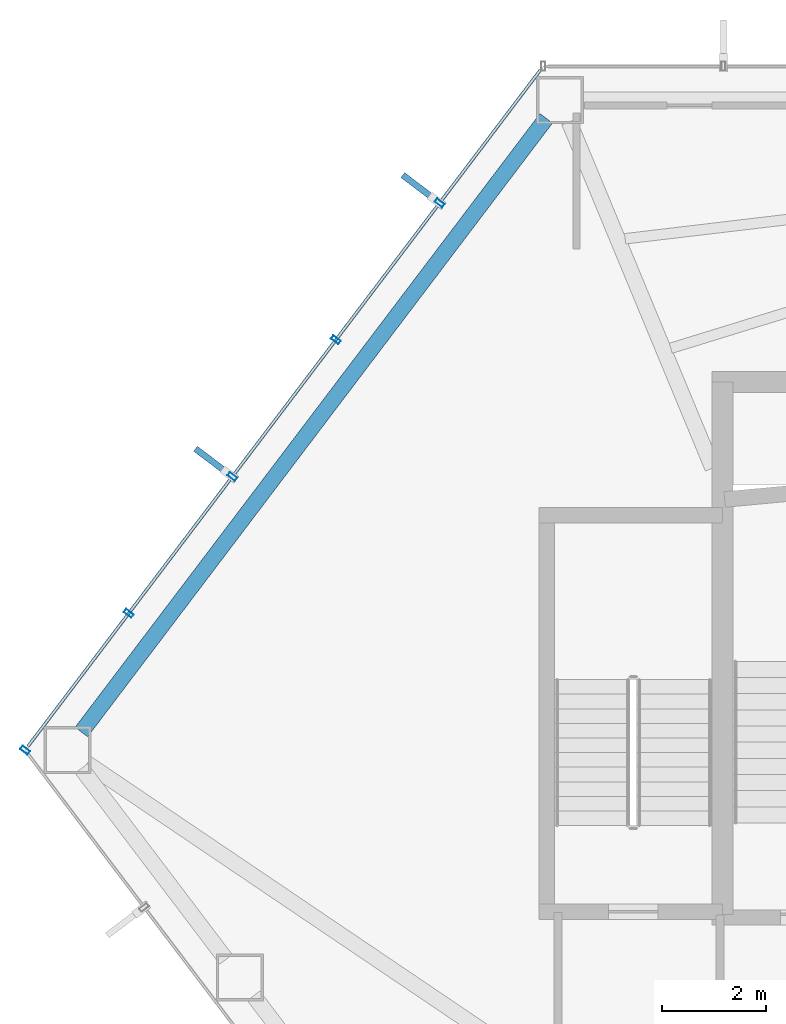
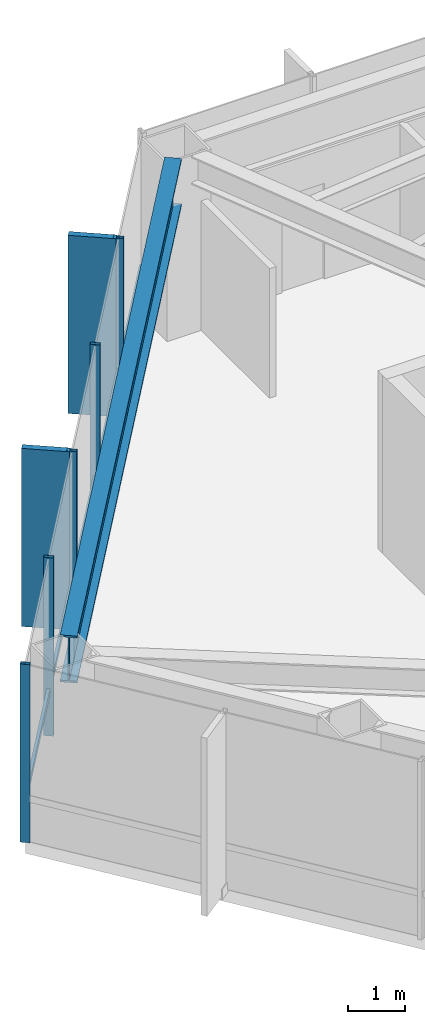
# One storey, part 10 of 24: 8 members, 1 beam, 1 element without a shape of its own.
"""IFC4 building model written with IfcOpenShell, lengths in metres."""

from ifc_helpers import new_model, si_unit, direction, frame, origin, origin_2d, place, context, subcontext, project, spatial, rectangle, hollow_rectangle, i_section, extrude, material, layer, layer_set, material_profile, profile_set, type_object, element, aggregate, save


model = new_model("IFC4")

# Units and contexts
model_context = context("Model", 3, precision=1e-05, world=origin(), true_north=direction((0.0, 1.0)))
body_context = subcontext(model_context, "Body", "Model", "MODEL_VIEW")
ifc_project = project(units=[si_unit("LENGTHUNIT", "METRE"), si_unit("AREAUNIT", "SQUARE_METRE"), si_unit("VOLUMEUNIT", "CUBIC_METRE"), si_unit("PLANEANGLEUNIT", "RADIAN"), si_unit("MASSUNIT", "GRAM", prefix="KILO")], contexts=[model_context])

# Site, building, storey
site_placement = place(None, origin())
site = spatial("IfcSite", under=ifc_project, at=site_placement, CompositionType="ELEMENT")
building_placement = place(site_placement, origin())
building = spatial("IfcBuilding", under=site, at=building_placement, Name="Zarrinselat Tower", CompositionType="ELEMENT")
storey_placement = place(building_placement, frame((0.0, 0.0, 100.97998046875)))
storey = spatial("IfcBuildingStorey", under=building, at=storey_placement, Name="L24", CompositionType="ELEMENT", Elevation=100.97998046875)

# Beam
ifc_material_1 = material(Name="Steel S460M", Category="steel")
ifc_material_profile_1 = material_profile(ifc_material_1, i_section(OverallWidth=0.302001953125, OverallDepth=1.008056640625, WebThickness=0.02099609375, FlangeThickness=0.0400390625, at=origin_2d()), Name="HEM 1000")
ifc_profile_set_1 = profile_set([ifc_material_profile_1], Name="Steel S460M")
beam_type = type_object("IfcBeamType", Name="BM-HEM1000", PredefinedType="BEAM", material=ifc_profile_set_1)
beam_placement = place(storey_placement, frame((16.31640625, 36.7451171875, 3.31591796875), z_axis=(0.603849401406, 0.797098425805, 0.0), x_axis=(-0.797098425805, 0.603849401406, 0.0)))
element("IfcBeam", 1, at=beam_placement, inside=storey, type_object=beam_type, Name="L24 Perimeter Spandrel Girder SP05", PredefinedType="BEAM", context=body_context, shape_type="SweptSolid", body=[
    extrude(i_section(OverallWidth=0.302001953125, OverallDepth=1.008056640625, WebThickness=0.02099609375, FlangeThickness=0.0400390625, at=origin_2d()), origin(), (0.0, 0.0, 1.0), 14.748291015625),
])

# Curtain wall, members
ifc_material_2 = material(Name="Extruded Aluminium Alloy EN AW-6063 T6", Category="aluminium")
ifc_layer = layer(ifc_material_2, 0.18505859375)
ifc_layer_set = layer_set([ifc_layer], Name="Extruded Aluminium Alloy EN AW-6063 T6")
curtain_wall_type = type_object("IfcCurtainWallType", Name="CWS-OFF", PredefinedType="NOTDEFINED", material=ifc_layer_set)
curtain_wall_placement = place(storey_placement, origin())
curtain_wall = element("IfcCurtainWall", 2, at=curtain_wall_placement, inside=storey, type_object=curtain_wall_type, Name="L24 Unitised Curtain Wall CW-L24-E02", PredefinedType="NOTDEFINED")
ifc_material_3 = material(Name="Extruded Aluminium Alloy EN AW-6063 T6", Category="aluminium")
ifc_material_profile_2 = material_profile(ifc_material_3, hollow_rectangle(XDim=0.080078125, YDim=0.179931640625, WallThickness=0.0048828125, at=origin_2d()), Name="RHS 180x80x5")
ifc_profile_set_2 = profile_set([ifc_material_profile_2], Name="Extruded Aluminium Alloy EN AW-6063 T6")
member_type_1 = type_object("IfcMemberType", Name="MEM-CW-MUL", PredefinedType="MULLION", material=ifc_profile_set_2)
member_1_placement = place(storey_placement, frame((23.17822265625, 46.879150390625, 0.0), z_axis=(0.0, 0.0, 1.0), x_axis=(-0.603854877249, -0.7970942775, 0.0)))
member_1 = element("IfcMember", 3, at=member_1_placement, type_object=member_type_1, Name="CW-L24-E02 Mullion 1", PredefinedType="MULLION", context=body_context, shape_type="SweptSolid", body=[
    extrude(hollow_rectangle(XDim=0.080078125, YDim=0.179931640625, WallThickness=0.0048828125, at=origin_2d()), origin(), (0.0, 0.0, 1.0), 3.820068359375),
])
member_2_placement = place(storey_placement, frame((21.192626953125, 44.25830078125, 0.0), z_axis=(0.0, 0.0, 1.0), x_axis=(-0.603854877249, -0.7970942775, 0.0)))
member_2 = element("IfcMember", 4, at=member_2_placement, type_object=member_type_1, Name="CW-L24-E02 Mullion 2", PredefinedType="MULLION", context=body_context, shape_type="SweptSolid", body=[
    extrude(hollow_rectangle(XDim=0.080078125, YDim=0.179931640625, WallThickness=0.0048828125, at=origin_2d()), origin(), (0.0, 0.0, 1.0), 3.820068359375),
])
member_3_placement = place(storey_placement, frame((19.207275390625, 41.6376953125, 0.0), z_axis=(0.0, 0.0, 1.0), x_axis=(-0.603854877249, -0.7970942775, 0.0)))
member_3 = element("IfcMember", 5, at=member_3_placement, type_object=member_type_1, Name="CW-L24-E02 Mullion 3", PredefinedType="MULLION", context=body_context, shape_type="SweptSolid", body=[
    extrude(hollow_rectangle(XDim=0.080078125, YDim=0.179931640625, WallThickness=0.0048828125, at=origin_2d()), origin(), (0.0, 0.0, 1.0), 3.820068359375),
])
member_4_placement = place(storey_placement, frame((17.2216796875, 39.016845703125, 0.0), z_axis=(0.0, 0.0, 1.0), x_axis=(-0.603854877249, -0.7970942775, 0.0)))
member_4 = element("IfcMember", 6, at=member_4_placement, type_object=member_type_1, Name="CW-L24-E02 Mullion 4", PredefinedType="MULLION", context=body_context, shape_type="SweptSolid", body=[
    extrude(hollow_rectangle(XDim=0.080078125, YDim=0.179931640625, WallThickness=0.0048828125, at=origin_2d()), origin(), (0.0, 0.0, 1.0), 3.820068359375),
])
member_5_placement = place(storey_placement, frame((15.236328125, 36.39599609375, 0.0), z_axis=(0.0, 0.0, 1.0), x_axis=(-0.603854877249, -0.7970942775, 0.0)))
member_5 = element("IfcMember", 7, at=member_5_placement, type_object=member_type_1, Name="CW-L24-E02 Mullion 5", PredefinedType="MULLION", context=body_context, shape_type="SweptSolid", body=[
    extrude(hollow_rectangle(XDim=0.080078125, YDim=0.179931640625, WallThickness=0.0048828125, at=origin_2d()), origin(), (0.0, 0.0, 1.0), 3.820068359375),
])
ifc_material_4 = material(Name="Extruded Aluminium Alloy EN AW-6063 T6", Category="aluminium")
ifc_material_profile_3 = material_profile(ifc_material_4, hollow_rectangle(XDim=0.06005859375, YDim=0.139892578125, WallThickness=0.00390625, at=origin_2d()), Name="RHS 140x60x4")
ifc_profile_set_3 = profile_set([ifc_material_profile_3], Name="Extruded Aluminium Alloy EN AW-6063 T6")
member_type_2 = type_object("IfcMemberType", Name="MEM-CW-TRN", PredefinedType="USERDEFINED", material=ifc_profile_set_3)
member_6_placement = place(storey_placement, frame((25.109375, 49.42822265625, 0.949951171875), z_axis=(-0.603860867961, -0.797089739079, 0.0), x_axis=(0.797089739079, -0.603860867961, 0.0)))
member_6 = element("IfcMember", 8, at=member_6_placement, type_object=member_type_2, Name="CW-L24-E02 Transom 1", ObjectType="TRANSOM", PredefinedType="USERDEFINED", context=body_context, shape_type="SweptSolid", body=[
    extrude(hollow_rectangle(XDim=0.06005859375, YDim=0.139892578125, WallThickness=0.00390625, at=origin_2d()), origin(), (0.0, 0.0, 1.0), 16.259765625),
])
ifc_material_5 = material(Name="Honed Cream Travertine Stone", Category="masonry")
ifc_material_profile_4 = material_profile(ifc_material_5, rectangle(XDim=0.1201171875, YDim=0.85009765625, at=origin_2d()), Name="FIN 850x120")
ifc_profile_set_4 = profile_set([ifc_material_profile_4], Name="Honed Cream Travertine Stone")
member_type_3 = type_object("IfcMemberType", Name="MEM-STONE-FIN", PredefinedType="USERDEFINED", material=ifc_profile_set_4)
member_7_placement = place(storey_placement, frame((22.8115234375, 47.156982421875, 0.0), z_axis=(0.0, 0.0, 1.0), x_axis=(0.603854877249, 0.7970942775, 0.0)))
member_7 = element("IfcMember", 9, at=member_7_placement, type_object=member_type_3, Name="L24 Stone Shading Fin CW-L24-E02-01", ObjectType="FIN", PredefinedType="USERDEFINED", context=body_context, shape_type="SweptSolid", body=[
    extrude(rectangle(XDim=0.1201171875, YDim=0.85009765625, at=origin_2d()), origin(), (0.0, 0.0, 1.0), 3.820068359375),
])
member_8_placement = place(storey_placement, frame((18.840576171875, 41.915283203125, 0.0), z_axis=(0.0, 0.0, 1.0), x_axis=(0.603854877249, 0.7970942775, 0.0)))
member_8 = element("IfcMember", 10, at=member_8_placement, type_object=member_type_3, Name="L24 Stone Shading Fin CW-L24-E02-03", ObjectType="FIN", PredefinedType="USERDEFINED", context=body_context, shape_type="SweptSolid", body=[
    extrude(rectangle(XDim=0.1201171875, YDim=0.85009765625, at=origin_2d()), origin(), (0.0, 0.0, 1.0), 3.820068359375),
])
aggregate(curtain_wall, [member_1, member_7, member_2, member_3, member_8, member_4, member_5, member_6])

save(model, "model.ifc")
